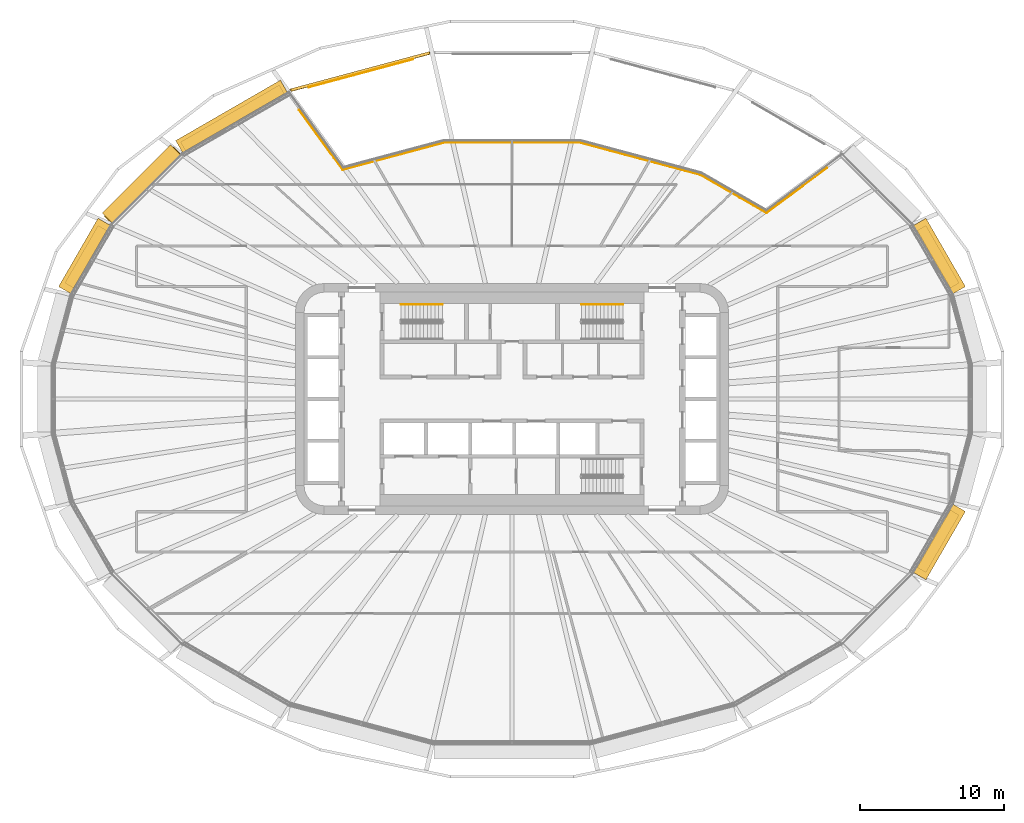
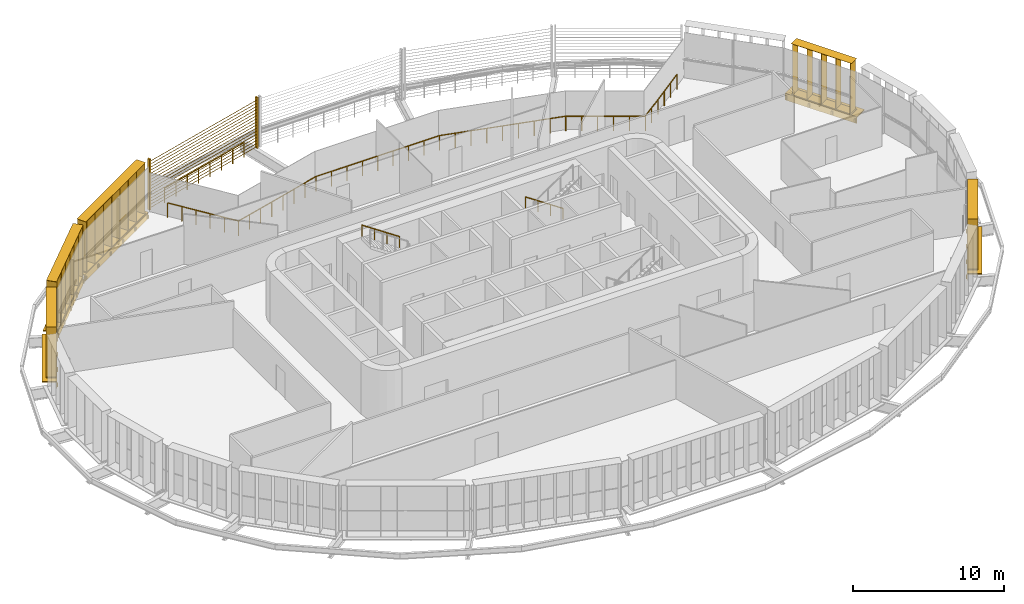
# One storey, part 23 of 24: 11 shading devices, 5 railings.
"""IFC4 building model written with IfcOpenShell, lengths in metres."""

import ifcopenshell
import ifcopenshell.guid

model = None  # the IFC model being written
_history = None  # IfcOwnerHistory: only IFC2X3 demands one
_inside = {}  # id of a spatial element -> (the spatial element, [elements in it])
_under = {}  # id of a project, library or spatial element -> (it, [spatial elements below it])
_declared = {}  # id of a project -> (the project, [libraries it declares])
_typed = {}  # id of a type object -> (the type object, [elements of that type])
_made_of = {}  # id of a material, layer set ... -> (it, [elements and type objects made of it])


def new_model(schema):
    """Start an empty IFC model of exactly this schema.

    Asked for "IFC4X3", IfcOpenShell would pick the latest addendum, in which some entities
    have other attributes; the version numbers below select the first issue.
    IFC2X3 requires an IfcOwnerHistory on every rooted entity: one is made here for all.
    """
    global model, _history
    if schema == "IFC4X3":
        model = ifcopenshell.file(schema_version=(4, 3, 0, 0))
    else:
        model = ifcopenshell.file(schema=schema)
    _inside.clear()
    _under.clear()
    _declared.clear()
    _typed.clear()
    _made_of.clear()
    _history = None
    if model.schema == "IFC2X3":
        org = make("IfcOrganization", Name="unknown")
        user = make(
            "IfcPersonAndOrganization",
            ThePerson=make("IfcPerson", FamilyName="unknown"),
            TheOrganization=org,
        )
        app = make(
            "IfcApplication",
            ApplicationDeveloper=org,
            Version="unknown",
            ApplicationFullName="unknown",
            ApplicationIdentifier="unknown",
        )
        _history = make(
            "IfcOwnerHistory",
            OwningUser=user,
            OwningApplication=app,
            ChangeAction="ADDED",
            CreationDate=0,
        )
    return model


def make(cls, **values):
    """One entity of the class cls with the attributes given. An attribute that is None is left unset."""
    return model.create_entity(
        cls, **{name: value for name, value in values.items() if value is not None}
    )


def rooted(cls, **values):
    """An entity with a GlobalId (a new one), such as an element, a storey or a relation."""
    return make(cls, GlobalId=ifcopenshell.guid.new(), OwnerHistory=_history, **values)


def si_unit(unit_type, name, prefix=None):
    """IfcSIUnit, for example si_unit("LENGTHUNIT", "METRE", prefix="MILLI")."""
    return make("IfcSIUnit", UnitType=unit_type, Prefix=prefix, Name=name)


def assignment(units):
    """IfcUnitAssignment: the units of a project."""
    return None if units is None else make("IfcUnitAssignment", Units=units)


def point(xyz):
    """IfcCartesianPoint."""
    return None if xyz is None else make("IfcCartesianPoint", Coordinates=xyz)


def direction(xyz):
    """IfcDirection."""
    return None if xyz is None else make("IfcDirection", DirectionRatios=xyz)


def frame(location, z_axis=None, x_axis=None):
    """IfcAxis2Placement3D, a coordinate frame: its origin and axes. An axis left out is left unset."""
    return make(
        "IfcAxis2Placement3D",
        Location=point(location),
        Axis=direction(z_axis),
        RefDirection=direction(x_axis),
    )


def frame_2d(location, x_axis=None):
    """IfcAxis2Placement2D, a coordinate frame in the plane: its origin and x axis."""
    return make(
        "IfcAxis2Placement2D", Location=point(location), RefDirection=direction(x_axis)
    )


def origin():
    """The frame at (0, 0, 0) with its axes left unset."""
    return frame((0.0, 0.0, 0.0))


def origin_2d():
    """The frame at (0, 0) in the plane with its x axis left unset."""
    return frame_2d((0.0, 0.0))


def place(relative_to, where):
    """IfcLocalPlacement: puts the frame where relative to a parent placement (None: the world)."""
    return make(
        "IfcLocalPlacement", PlacementRelTo=relative_to, RelativePlacement=where
    )


def context(
    kind, dimensions, precision=None, world=None, true_north=None, identifier=None
):
    """IfcGeometricRepresentationContext, for example the 3D "Model" context."""
    return make(
        "IfcGeometricRepresentationContext",
        ContextIdentifier=identifier,
        ContextType=kind,
        CoordinateSpaceDimension=dimensions,
        Precision=precision,
        WorldCoordinateSystem=world,
        TrueNorth=true_north,
    )


def subcontext(parent, identifier, kind, view, scale=None):
    """IfcGeometricRepresentationSubContext, for example "Body" below "Model"."""
    return make(
        "IfcGeometricRepresentationSubContext",
        ContextIdentifier=identifier,
        ContextType=kind,
        ParentContext=parent,
        TargetScale=scale,
        TargetView=view,
    )


def project(units=None, contexts=None):
    """IfcProject with its units and contexts."""
    return rooted(
        "IfcProject",
        Name="project",
        RepresentationContexts=contexts,
        UnitsInContext=assignment(units),
    )


def spatial(cls, under=None, at=None, **own):
    """A site, building, storey or space (cls), placed at a placement, below another one or the project."""
    s = rooted(cls, ObjectPlacement=at, **own)
    if under is not None:
        _under.setdefault(under.id(), (under, []))[1].append(s)
    return s


def profile(cls, at=None, kind="AREA", **sizes):
    """A parametric profile (cls). Its sizes go by their IFC names, for example OverallWidth=200.0."""
    return make(cls, ProfileType=kind, Position=at, **sizes)


def rectangle(**sizes):
    """IfcRectangleProfileDef."""
    return profile("IfcRectangleProfileDef", **sizes)


def circle(**sizes):
    """IfcCircleProfileDef."""
    return profile("IfcCircleProfileDef", **sizes)


def extrude(swept, where, along, depth):
    """IfcExtrudedAreaSolid: the profile swept, set in the frame where, extruded along a direction by depth."""
    return make(
        "IfcExtrudedAreaSolid",
        SweptArea=swept,
        Position=where,
        ExtrudedDirection=direction(along),
        Depth=depth,
    )


def shape(context_of_items, identifier, shape_type, items):
    """IfcShapeRepresentation: the items that make up one representation, for example the "Body"."""
    return make(
        "IfcShapeRepresentation",
        ContextOfItems=context_of_items,
        RepresentationIdentifier=identifier,
        RepresentationType=shape_type,
        Items=items,
    )


def material(Name=None, Category=None):
    """IfcMaterial."""
    return make("IfcMaterial", Name=Name, Category=Category)


def made_of(thing, what):
    """Note that an element or type object is made of a material, layer set ...; save() writes the relation."""
    if what is not None:
        _made_of.setdefault(what.id(), (what, []))[1].append(thing)
    return thing


def type_object(cls, material=None, **own):
    """A type object (cls), such as IfcWallType, which elements share."""
    return made_of(rooted(cls, **own), material)


def element(
    cls,
    number,
    at=None,
    inside=None,
    cuts=None,
    type_object=None,
    material=None,
    context=None,
    identifier="Body",
    shape_type=None,
    held_by="IfcProductDefinitionShape",
    body=None,
    shapes=None,
    **own,
):
    """One element of the class cls, such as IfcWall. Its Tag is "e" and its number.

    at: its placement. inside: the storey or other place that contains it. cuts: it is an
    opening in that element (IfcRelVoidsElement). A single representation is given by context,
    identifier, shape_type and body (its items); several are given by shapes. held_by: the class
    of the entity that holds the representations. save() writes the other relations.
    """
    e = rooted(cls, Tag="e%d" % number, ObjectPlacement=at, **own)
    if body is not None:
        shapes = [shape(context, identifier, shape_type, body)]
    if shapes is not None:
        e.Representation = make(held_by, Representations=shapes)
    if inside is not None:
        _inside.setdefault(inside.id(), (inside, []))[1].append(e)
    if cuts is not None:
        rooted(
            "IfcRelVoidsElement", RelatingBuildingElement=cuts, RelatedOpeningElement=e
        )
    if type_object is not None:
        _typed.setdefault(type_object.id(), (type_object, []))[1].append(e)
    return made_of(e, material)


def aggregate(whole, parts):
    """IfcRelAggregates: a whole, such as a stair, and the parts it consists of."""
    return rooted("IfcRelAggregates", RelatingObject=whole, RelatedObjects=parts)


def save(model, path):
    """Write the relations noted so far, then the file.

    IfcRelAggregates (storeys below a building ...), IfcRelContainedInSpatialStructure (elements
    in a storey), IfcRelDefinesByType, IfcRelAssociatesMaterial and IfcRelDeclares: one each for
    every whole, place, type object, material and project.
    """
    for whole, parts in _under.values():
        aggregate(whole, parts)
    for where, things in _inside.values():
        rooted(
            "IfcRelContainedInSpatialStructure",
            RelatedElements=things,
            RelatingStructure=where,
        )
    for kind, things in _typed.values():
        rooted("IfcRelDefinesByType", RelatedObjects=things, RelatingType=kind)
    for what, things in _made_of.values():
        rooted("IfcRelAssociatesMaterial", RelatedObjects=things, RelatingMaterial=what)
    for by, libraries in _declared.values():
        rooted("IfcRelDeclares", RelatingContext=by, RelatedDefinitions=libraries)
    model.write(path)


model = new_model("IFC4")

# Units and contexts
model_context = context("Model", 3, precision=1e-05, world=origin(), true_north=direction((0.0, 1.0)))
body_context = subcontext(model_context, "Body", "Model", "MODEL_VIEW")
ifc_project = project(units=[si_unit("LENGTHUNIT", "METRE"), si_unit("AREAUNIT", "SQUARE_METRE"), si_unit("VOLUMEUNIT", "CUBIC_METRE"), si_unit("PLANEANGLEUNIT", "RADIAN"), si_unit("MASSUNIT", "GRAM", prefix="KILO")], contexts=[model_context])

# Site, building, storey
site_placement = place(None, origin())
site = spatial("IfcSite", under=ifc_project, at=site_placement, CompositionType="ELEMENT")
building_placement = place(site_placement, origin())
building = spatial("IfcBuilding", under=site, at=building_placement, Name="Sahrelin Media Tower", CompositionType="ELEMENT")
storey_placement = place(building_placement, frame((0.0, 0.0, 123.0)))
storey = spatial("IfcBuildingStorey", under=building, at=storey_placement, Name="L24", CompositionType="ELEMENT", Elevation=123.0)

# Shading devices
ifc_material_1 = material(Name="Champagne anodised aluminium 6063-T6", Category="aluminium")
shading_device_type_1 = type_object("IfcShadingDeviceType", Name="Fin cassette", PredefinedType="USERDEFINED", material=ifc_material_1)
placement_1 = place(storey_placement, frame((29.138916015625, 9.63818359375, 0.0), z_axis=(0.0, 0.0, 1.0), x_axis=(0.500011000363, -0.866019052629, 0.0)))
element("IfcShadingDevice", 1, at=placement_1, inside=storey, type_object=shading_device_type_1, Name="L24:FIN:L24-02", ObjectType="FIN", PredefinedType="USERDEFINED", context=body_context, shape_type="SweptSolid", body=[
    extrude(rectangle(XDim=4.60009765625, YDim=0.699951171875, at=origin_2d()), frame((0.0, 0.419921875, 0.0)), (0.0, 0.0, 1.0), 0.02001953125),
    extrude(rectangle(XDim=4.60009765625, YDim=0.699951171875, at=origin_2d()), frame((0.0, 0.419921875, 4.10009765625)), (0.0, 0.0, 1.0), 0.02001953125),
    extrude(rectangle(XDim=0.02001953125, YDim=0.699951171875, at=origin_2d()), frame((-2.199951171875, 0.419921875, 0.010009765625), z_axis=(0.0, 0.0, 1.0), x_axis=(1.0, 0.0, 0.0)), (0.0, 0.0, 1.0), 4.10009765625),
    extrude(rectangle(XDim=0.02001953125, YDim=0.699951171875, at=origin_2d()), frame((-1.10009765625, 0.419921875, 0.010009765625), z_axis=(0.0, 0.0, 1.0), x_axis=(1.0, 0.0, 0.0)), (0.0, 0.0, 1.0), 4.10009765625),
    extrude(rectangle(XDim=0.02001953125, YDim=0.699951171875, at=origin_2d()), frame((0.0, 0.419921875, 0.010009765625), z_axis=(0.0, 0.0, 1.0), x_axis=(1.0, 0.0, 0.0)), (0.0, 0.0, 1.0), 4.10009765625),
    extrude(rectangle(XDim=0.02001953125, YDim=0.699951171875, at=origin_2d()), frame((1.10009765625, 0.419921875, 0.010009765625), z_axis=(0.0, 0.0, 1.0), x_axis=(1.0, 0.0, 0.0)), (0.0, 0.0, 1.0), 4.10009765625),
    extrude(rectangle(XDim=0.02001953125, YDim=0.699951171875, at=origin_2d()), frame((2.199951171875, 0.419921875, 0.010009765625), z_axis=(0.0, 0.0, 1.0), x_axis=(1.0, 0.0, 0.0)), (0.0, 0.0, 1.0), 4.10009765625),
])
placement_2 = place(storey_placement, frame((-19.147216796875, 19.09716796875, 0.0), z_axis=(0.0, 0.0, 1.0), x_axis=(0.866019052629, 0.500011000363, 0.0)))
element("IfcShadingDevice", 2, at=placement_2, inside=storey, type_object=shading_device_type_1, Name="L24:FIN:L24-08", ObjectType="FIN", PredefinedType="USERDEFINED", context=body_context, shape_type="SweptSolid", body=[
    extrude(rectangle(XDim=7.89990234375, YDim=0.699951171875, at=origin_2d()), frame((0.0, 0.419921875, 0.0)), (0.0, 0.0, 1.0), 0.02001953125),
    extrude(rectangle(XDim=7.89990234375, YDim=0.699951171875, at=origin_2d()), frame((0.0, 0.419921875, 4.10009765625)), (0.0, 0.0, 1.0), 0.02001953125),
    extrude(rectangle(XDim=0.02001953125, YDim=0.699951171875, at=origin_2d()), frame((-3.85009765625, 0.419921875, 0.010009765625), z_axis=(0.0, 0.0, 1.0), x_axis=(1.0, 0.0, 0.0)), (0.0, 0.0, 1.0), 4.10009765625),
    extrude(rectangle(XDim=0.02001953125, YDim=0.699951171875, at=origin_2d()), frame((-2.75, 0.419921875, 0.010009765625), z_axis=(0.0, 0.0, 1.0), x_axis=(1.0, 0.0, 0.0)), (0.0, 0.0, 1.0), 4.10009765625),
    extrude(rectangle(XDim=0.02001953125, YDim=0.699951171875, at=origin_2d()), frame((-1.64990234375, 0.419921875, 0.010009765625), z_axis=(0.0, 0.0, 1.0), x_axis=(1.0, 0.0, 0.0)), (0.0, 0.0, 1.0), 4.10009765625),
    extrude(rectangle(XDim=0.02001953125, YDim=0.699951171875, at=origin_2d()), frame((-0.550048828125, 0.419921875, 0.010009765625), z_axis=(0.0, 0.0, 1.0), x_axis=(1.0, 0.0, 0.0)), (0.0, 0.0, 1.0), 4.10009765625),
    extrude(rectangle(XDim=0.02001953125, YDim=0.699951171875, at=origin_2d()), frame((0.550048828125, 0.419921875, 0.010009765625), z_axis=(0.0, 0.0, 1.0), x_axis=(1.0, 0.0, 0.0)), (0.0, 0.0, 1.0), 4.10009765625),
    extrude(rectangle(XDim=0.02001953125, YDim=0.699951171875, at=origin_2d()), frame((1.64990234375, 0.419921875, 0.010009765625), z_axis=(0.0, 0.0, 1.0), x_axis=(1.0, 0.0, 0.0)), (0.0, 0.0, 1.0), 4.10009765625),
    extrude(rectangle(XDim=0.02001953125, YDim=0.699951171875, at=origin_2d()), frame((2.75, 0.419921875, 0.010009765625), z_axis=(0.0, 0.0, 1.0), x_axis=(1.0, 0.0, 0.0)), (0.0, 0.0, 1.0), 4.10009765625),
    extrude(rectangle(XDim=0.02001953125, YDim=0.699951171875, at=origin_2d()), frame((3.85009765625, 0.419921875, 0.010009765625), z_axis=(0.0, 0.0, 1.0), x_axis=(1.0, 0.0, 0.0)), (0.0, 0.0, 1.0), 4.10009765625),
])
placement_3 = place(storey_placement, frame((-25.291259765625, 14.52197265625, 0.0), z_axis=(0.0, 0.0, 1.0), x_axis=(0.707106781187, 0.707106781187, 0.0)))
element("IfcShadingDevice", 3, at=placement_3, inside=storey, type_object=shading_device_type_1, Name="L24:FIN:L24-09", ObjectType="FIN", PredefinedType="USERDEFINED", context=body_context, shape_type="SweptSolid", body=[
    extrude(rectangle(XDim=6.800048828125, YDim=0.699951171875, at=origin_2d()), frame((0.0, 0.419921875, 0.0)), (0.0, 0.0, 1.0), 0.02001953125),
    extrude(rectangle(XDim=6.800048828125, YDim=0.699951171875, at=origin_2d()), frame((0.0, 0.419921875, 4.10009765625)), (0.0, 0.0, 1.0), 0.02001953125),
    extrude(rectangle(XDim=0.02001953125, YDim=0.699951171875, at=origin_2d()), frame((-3.300048828125, 0.419921875, 0.010009765625), z_axis=(0.0, 0.0, 1.0), x_axis=(1.0, 0.0, 0.0)), (0.0, 0.0, 1.0), 4.10009765625),
    extrude(rectangle(XDim=0.02001953125, YDim=0.699951171875, at=origin_2d()), frame((-2.199951171875, 0.419921875, 0.010009765625), z_axis=(0.0, 0.0, 1.0), x_axis=(1.0, 0.0, 0.0)), (0.0, 0.0, 1.0), 4.10009765625),
    extrude(rectangle(XDim=0.02001953125, YDim=0.699951171875, at=origin_2d()), frame((-1.10009765625, 0.419921875, 0.010009765625), z_axis=(0.0, 0.0, 1.0), x_axis=(1.0, 0.0, 0.0)), (0.0, 0.0, 1.0), 4.10009765625),
    extrude(rectangle(XDim=0.02001953125, YDim=0.699951171875, at=origin_2d()), frame((0.0, 0.419921875, 0.010009765625), z_axis=(0.0, 0.0, 1.0), x_axis=(1.0, 0.0, 0.0)), (0.0, 0.0, 1.0), 4.10009765625),
    extrude(rectangle(XDim=0.02001953125, YDim=0.699951171875, at=origin_2d()), frame((1.10009765625, 0.419921875, 0.010009765625), z_axis=(0.0, 0.0, 1.0), x_axis=(1.0, 0.0, 0.0)), (0.0, 0.0, 1.0), 4.10009765625),
    extrude(rectangle(XDim=0.02001953125, YDim=0.699951171875, at=origin_2d()), frame((2.199951171875, 0.419921875, 0.010009765625), z_axis=(0.0, 0.0, 1.0), x_axis=(1.0, 0.0, 0.0)), (0.0, 0.0, 1.0), 4.10009765625),
    extrude(rectangle(XDim=0.02001953125, YDim=0.699951171875, at=origin_2d()), frame((3.300048828125, 0.419921875, 0.010009765625), z_axis=(0.0, 0.0, 1.0), x_axis=(1.0, 0.0, 0.0)), (0.0, 0.0, 1.0), 4.10009765625),
])
placement_4 = place(storey_placement, frame((-29.138916015625, 9.63818359375, 0.0), z_axis=(0.0, 0.0, 1.0), x_axis=(0.500011000363, 0.866019052629, 0.0)))
element("IfcShadingDevice", 4, at=placement_4, inside=storey, type_object=shading_device_type_1, Name="L24:FIN:L24-10", ObjectType="FIN", PredefinedType="USERDEFINED", context=body_context, shape_type="SweptSolid", body=[
    extrude(rectangle(XDim=4.60009765625, YDim=0.699951171875, at=origin_2d()), frame((0.0, 0.419921875, 0.0)), (0.0, 0.0, 1.0), 0.02001953125),
    extrude(rectangle(XDim=4.60009765625, YDim=0.699951171875, at=origin_2d()), frame((0.0, 0.419921875, 4.10009765625)), (0.0, 0.0, 1.0), 0.02001953125),
    extrude(rectangle(XDim=0.02001953125, YDim=0.699951171875, at=origin_2d()), frame((-2.199951171875, 0.419921875, 0.010009765625), z_axis=(0.0, 0.0, 1.0), x_axis=(1.0, 0.0, 0.0)), (0.0, 0.0, 1.0), 4.10009765625),
    extrude(rectangle(XDim=0.02001953125, YDim=0.699951171875, at=origin_2d()), frame((-1.10009765625, 0.419921875, 0.010009765625), z_axis=(0.0, 0.0, 1.0), x_axis=(1.0, 0.0, 0.0)), (0.0, 0.0, 1.0), 4.10009765625),
    extrude(rectangle(XDim=0.02001953125, YDim=0.699951171875, at=origin_2d()), frame((0.0, 0.419921875, 0.010009765625), z_axis=(0.0, 0.0, 1.0), x_axis=(1.0, 0.0, 0.0)), (0.0, 0.0, 1.0), 4.10009765625),
    extrude(rectangle(XDim=0.02001953125, YDim=0.699951171875, at=origin_2d()), frame((1.10009765625, 0.419921875, 0.010009765625), z_axis=(0.0, 0.0, 1.0), x_axis=(1.0, 0.0, 0.0)), (0.0, 0.0, 1.0), 4.10009765625),
    extrude(rectangle(XDim=0.02001953125, YDim=0.699951171875, at=origin_2d()), frame((2.199951171875, 0.419921875, 0.010009765625), z_axis=(0.0, 0.0, 1.0), x_axis=(1.0, 0.0, 0.0)), (0.0, 0.0, 1.0), 4.10009765625),
])
placement_5 = place(storey_placement, frame((29.138916015625, -9.63818359375, 0.0), z_axis=(0.0, 0.0, 1.0), x_axis=(-0.500011000363, -0.866019052629, 0.0)))
element("IfcShadingDevice", 5, at=placement_5, inside=storey, type_object=shading_device_type_1, Name="L24:FIN:L24-22", ObjectType="FIN", PredefinedType="USERDEFINED", context=body_context, shape_type="SweptSolid", body=[
    extrude(rectangle(XDim=4.60009765625, YDim=0.699951171875, at=origin_2d()), frame((0.0, 0.419921875, 0.0)), (0.0, 0.0, 1.0), 0.02001953125),
    extrude(rectangle(XDim=4.60009765625, YDim=0.699951171875, at=origin_2d()), frame((0.0, 0.419921875, 4.10009765625)), (0.0, 0.0, 1.0), 0.02001953125),
    extrude(rectangle(XDim=0.02001953125, YDim=0.699951171875, at=origin_2d()), frame((-2.199951171875, 0.419921875, 0.010009765625), z_axis=(0.0, 0.0, 1.0), x_axis=(1.0, 0.0, 0.0)), (0.0, 0.0, 1.0), 4.10009765625),
    extrude(rectangle(XDim=0.02001953125, YDim=0.699951171875, at=origin_2d()), frame((-1.10009765625, 0.419921875, 0.010009765625), z_axis=(0.0, 0.0, 1.0), x_axis=(1.0, 0.0, 0.0)), (0.0, 0.0, 1.0), 4.10009765625),
    extrude(rectangle(XDim=0.02001953125, YDim=0.699951171875, at=origin_2d()), frame((0.0, 0.419921875, 0.010009765625), z_axis=(0.0, 0.0, 1.0), x_axis=(1.0, 0.0, 0.0)), (0.0, 0.0, 1.0), 4.10009765625),
    extrude(rectangle(XDim=0.02001953125, YDim=0.699951171875, at=origin_2d()), frame((1.10009765625, 0.419921875, 0.010009765625), z_axis=(0.0, 0.0, 1.0), x_axis=(1.0, 0.0, 0.0)), (0.0, 0.0, 1.0), 4.10009765625),
    extrude(rectangle(XDim=0.02001953125, YDim=0.699951171875, at=origin_2d()), frame((2.199951171875, 0.419921875, 0.010009765625), z_axis=(0.0, 0.0, 1.0), x_axis=(1.0, 0.0, 0.0)), (0.0, 0.0, 1.0), 4.10009765625),
])
shading_device_type_2 = type_object("IfcShadingDeviceType", Name="Garden screen", PredefinedType="USERDEFINED", material=ifc_material_1)
shading_device_6_placement = place(storey_placement, frame((-10.474365234375, 22.569580078125, 0.0), z_axis=(0.0, 0.0, 1.0), x_axis=(0.965928857556, 0.258807731996, 0.0)))
element("IfcShadingDevice", 6, at=shading_device_6_placement, inside=storey, type_object=shading_device_type_2, Name="L24:SCREEN:L24-07", ObjectType="SCREEN", PredefinedType="USERDEFINED", context=body_context, shape_type="SweptSolid", body=[
    extrude(rectangle(XDim=0.1201171875, YDim=0.199951171875, at=origin_2d()), frame((5.025634765625, 0.10009765625, 0.050048828125), z_axis=(0.0, 0.0, 1.0), x_axis=(1.0, 0.0, 0.0)), (0.0, 0.0, 1.0), 4.099853515625),
    extrude(rectangle(XDim=0.1201171875, YDim=0.199951171875, at=origin_2d()), frame((-5.025634765625, 0.10009765625, 0.050048828125), z_axis=(0.0, 0.0, 1.0), x_axis=(1.0, 0.0, 0.0)), (0.0, 0.0, 1.0), 4.099853515625),
    extrude(rectangle(XDim=0.25, YDim=0.02001953125, at=origin_2d()), frame((4.9658203125, 0.10009765625, 0.14990234375), z_axis=(-1.0, 0.0, 0.0), x_axis=(0.0, -0.766044443119, 0.642787609687)), (0.0, 0.0, 1.0), 9.931640625),
    extrude(rectangle(XDim=0.25, YDim=0.02001953125, at=origin_2d()), frame((4.9658203125, 0.10009765625, 0.39990234375), z_axis=(-1.0, 0.0, 0.0), x_axis=(0.0, -0.766044443119, 0.642787609687)), (0.0, 0.0, 1.0), 9.931640625),
    extrude(rectangle(XDim=0.25, YDim=0.02001953125, at=origin_2d()), frame((4.9658203125, 0.10009765625, 0.64990234375), z_axis=(-1.0, 0.0, 0.0), x_axis=(0.0, -0.766044443119, 0.642787609687)), (0.0, 0.0, 1.0), 9.931640625),
    extrude(rectangle(XDim=0.25, YDim=0.02001953125, at=origin_2d()), frame((4.9658203125, 0.10009765625, 0.89990234375), z_axis=(-1.0, 0.0, 0.0), x_axis=(0.0, -0.766044443119, 0.642787609687)), (0.0, 0.0, 1.0), 9.931640625),
    extrude(rectangle(XDim=0.25, YDim=0.02001953125, at=origin_2d()), frame((4.9658203125, 0.10009765625, 1.14990234375), z_axis=(-1.0, 0.0, 0.0), x_axis=(0.0, -0.766044443119, 0.642787609687)), (0.0, 0.0, 1.0), 9.931640625),
    extrude(rectangle(XDim=0.25, YDim=0.02001953125, at=origin_2d()), frame((4.9658203125, 0.10009765625, 1.39990234375), z_axis=(-1.0, 0.0, 0.0), x_axis=(0.0, -0.766044443119, 0.642787609687)), (0.0, 0.0, 1.0), 9.931640625),
    extrude(rectangle(XDim=0.25, YDim=0.02001953125, at=origin_2d()), frame((4.9658203125, 0.10009765625, 1.64990234375), z_axis=(-1.0, 0.0, 0.0), x_axis=(0.0, -0.766044443119, 0.642787609687)), (0.0, 0.0, 1.0), 9.931640625),
    extrude(rectangle(XDim=0.25, YDim=0.02001953125, at=origin_2d()), frame((4.9658203125, 0.10009765625, 1.89990234375), z_axis=(-1.0, 0.0, 0.0), x_axis=(0.0, -0.766044443119, 0.642787609687)), (0.0, 0.0, 1.0), 9.931640625),
    extrude(rectangle(XDim=0.25, YDim=0.02001953125, at=origin_2d()), frame((4.9658203125, 0.10009765625, 2.14990234375), z_axis=(-1.0, 0.0, 0.0), x_axis=(0.0, -0.766044443119, 0.642787609687)), (0.0, 0.0, 1.0), 9.931640625),
    extrude(rectangle(XDim=0.25, YDim=0.02001953125, at=origin_2d()), frame((4.9658203125, 0.10009765625, 2.39990234375), z_axis=(-1.0, 0.0, 0.0), x_axis=(0.0, -0.766044443119, 0.642787609687)), (0.0, 0.0, 1.0), 9.931640625),
    extrude(rectangle(XDim=0.25, YDim=0.02001953125, at=origin_2d()), frame((4.9658203125, 0.10009765625, 2.64990234375), z_axis=(-1.0, 0.0, 0.0), x_axis=(0.0, -0.766044443119, 0.642787609687)), (0.0, 0.0, 1.0), 9.931640625),
    extrude(rectangle(XDim=0.25, YDim=0.02001953125, at=origin_2d()), frame((4.9658203125, 0.10009765625, 2.89990234375), z_axis=(-1.0, 0.0, 0.0), x_axis=(0.0, -0.766044443119, 0.642787609687)), (0.0, 0.0, 1.0), 9.931640625),
    extrude(rectangle(XDim=0.25, YDim=0.02001953125, at=origin_2d()), frame((4.9658203125, 0.10009765625, 3.14990234375), z_axis=(-1.0, 0.0, 0.0), x_axis=(0.0, -0.766044443119, 0.642787609687)), (0.0, 0.0, 1.0), 9.931640625),
    extrude(rectangle(XDim=0.25, YDim=0.02001953125, at=origin_2d()), frame((4.9658203125, 0.10009765625, 3.39990234375), z_axis=(-1.0, 0.0, 0.0), x_axis=(0.0, -0.766044443119, 0.642787609687)), (0.0, 0.0, 1.0), 9.931640625),
    extrude(rectangle(XDim=0.25, YDim=0.02001953125, at=origin_2d()), frame((4.9658203125, 0.10009765625, 3.64990234375), z_axis=(-1.0, 0.0, 0.0), x_axis=(0.0, -0.766044443119, 0.642787609687)), (0.0, 0.0, 1.0), 9.931640625),
    extrude(rectangle(XDim=0.25, YDim=0.02001953125, at=origin_2d()), frame((4.9658203125, 0.10009765625, 3.89990234375), z_axis=(-1.0, 0.0, 0.0), x_axis=(0.0, -0.766044443119, 0.642787609687)), (0.0, 0.0, 1.0), 9.931640625),
])

# Railings
ifc_material_2 = material(Name="Stainless steel 316", Category="steel")
railing_type_1 = type_object("IfcRailingType", Name="Sky garden guard", PredefinedType="GUARDRAIL", material=ifc_material_2)
railing_1_placement = place(storey_placement, frame((17.616943359375, 12.87939453125, 0.0)))
element("IfcRailing", 7, at=railing_1_placement, inside=storey, type_object=railing_type_1, Name="Sky garden void guard G2-1", PredefinedType="GUARDRAIL", context=body_context, shape_type="SweptSolid", body=[
    extrude(circle(Radius=0.02392578125, at=origin_2d()), frame((0.0, 0.0, 1.17578125), z_axis=(-0.86603255856, 0.499987607361, 0.0), x_axis=(-0.499987607361, -0.86603255856, 0.0)), (0.0, 0.0, 1.0), 5.260498046875),
    extrude(circle(Radius=0.02392578125, at=origin_2d()), frame((-4.5556640625, 2.630126953125, 1.17578125), z_axis=(-0.965927017117, 0.25881460083, 0.0), x_axis=(-0.25881460083, -0.965927017117, 0.0)), (0.0, 0.0, 1.0), 8.65185546875),
    extrude(circle(Radius=0.02392578125, at=origin_2d()), frame((-12.912841796875, 4.869384765625, 1.17578125), z_axis=(-1.0, 0.0, 0.0), x_axis=(0.0, -1.0, 0.0)), (0.0, 0.0, 1.0), 9.408203125),
    extrude(circle(Radius=0.02392578125, at=origin_2d()), frame((-22.321044921875, 4.869384765625, 1.17578125), z_axis=(-0.965920584516, -0.258838606872, 0.0), x_axis=(0.258838606872, -0.965920584516, 0.0)), (0.0, 0.0, 1.0), 7.260986328125),
    extrude(circle(Radius=0.02392578125, at=origin_2d()), frame((-29.33447265625, 2.989990234375, 1.17578125), z_axis=(-0.587857214641, 0.808964705778, 0.0), x_axis=(-0.808964705778, -0.587857214641, 0.0)), (0.0, 0.0, 1.0), 5.12451171875),
    extrude(circle(Radius=0.02099609375, at=origin_2d()), origin(), (0.0, 0.0, 1.0), 1.15185546875),
    extrude(circle(Radius=0.02099609375, at=origin_2d()), frame((-0.9111328125, 0.526123046875, 0.0)), (0.0, 0.0, 1.0), 1.15185546875),
    extrude(circle(Radius=0.02099609375, at=origin_2d()), frame((-1.822265625, 1.052001953125, 0.0)), (0.0, 0.0, 1.0), 1.15185546875),
    extrude(circle(Radius=0.02099609375, at=origin_2d()), frame((-2.7333984375, 1.578125, 0.0)), (0.0, 0.0, 1.0), 1.15185546875),
    extrude(circle(Radius=0.02099609375, at=origin_2d()), frame((-3.64453125, 2.10400390625, 0.0)), (0.0, 0.0, 1.0), 1.15185546875),
    extrude(circle(Radius=0.02099609375, at=origin_2d()), frame((-4.5556640625, 2.630126953125, 0.0)), (0.0, 0.0, 1.0), 1.15185546875),
    extrude(circle(Radius=0.02099609375, at=origin_2d()), frame((-5.600341796875, 2.91015625, 0.0)), (0.0, 0.0, 1.0), 1.15185546875),
    extrude(circle(Radius=0.02099609375, at=origin_2d()), frame((-6.64501953125, 3.18994140625, 0.0)), (0.0, 0.0, 1.0), 1.15185546875),
    extrude(circle(Radius=0.02099609375, at=origin_2d()), frame((-7.689697265625, 3.4697265625, 0.0)), (0.0, 0.0, 1.0), 1.15185546875),
    extrude(circle(Radius=0.02099609375, at=origin_2d()), frame((-8.734375, 3.749755859375, 0.0)), (0.0, 0.0, 1.0), 1.15185546875),
    extrude(circle(Radius=0.02099609375, at=origin_2d()), frame((-9.77880859375, 4.02978515625, 0.0)), (0.0, 0.0, 1.0), 1.15185546875),
    extrude(circle(Radius=0.02099609375, at=origin_2d()), frame((-10.823486328125, 4.3095703125, 0.0)), (0.0, 0.0, 1.0), 1.15185546875),
    extrude(circle(Radius=0.02099609375, at=origin_2d()), frame((-11.8681640625, 4.58935546875, 0.0)), (0.0, 0.0, 1.0), 1.15185546875),
    extrude(circle(Radius=0.02099609375, at=origin_2d()), frame((-12.912841796875, 4.869384765625, 0.0)), (0.0, 0.0, 1.0), 1.15185546875),
    extrude(circle(Radius=0.02099609375, at=origin_2d()), frame((-14.0888671875, 4.869384765625, 0.0)), (0.0, 0.0, 1.0), 1.15185546875),
    extrude(circle(Radius=0.02099609375, at=origin_2d()), frame((-15.264892578125, 4.869384765625, 0.0)), (0.0, 0.0, 1.0), 1.15185546875),
    extrude(circle(Radius=0.02099609375, at=origin_2d()), frame((-16.44091796875, 4.869384765625, 0.0)), (0.0, 0.0, 1.0), 1.15185546875),
    extrude(circle(Radius=0.02099609375, at=origin_2d()), frame((-17.616943359375, 4.869384765625, 0.0)), (0.0, 0.0, 1.0), 1.15185546875),
    extrude(circle(Radius=0.02099609375, at=origin_2d()), frame((-18.79296875, 4.869384765625, 0.0)), (0.0, 0.0, 1.0), 1.15185546875),
    extrude(circle(Radius=0.02099609375, at=origin_2d()), frame((-19.968994140625, 4.869384765625, 0.0)), (0.0, 0.0, 1.0), 1.15185546875),
    extrude(circle(Radius=0.02099609375, at=origin_2d()), frame((-21.14501953125, 4.869384765625, 0.0)), (0.0, 0.0, 1.0), 1.15185546875),
    extrude(circle(Radius=0.02099609375, at=origin_2d()), frame((-22.321044921875, 4.869384765625, 0.0)), (0.0, 0.0, 1.0), 1.15185546875),
    extrude(circle(Radius=0.02099609375, at=origin_2d()), frame((-23.322998046875, 4.600830078125, 0.0)), (0.0, 0.0, 1.0), 1.15185546875),
    extrude(circle(Radius=0.02099609375, at=origin_2d()), frame((-24.324951171875, 4.33251953125, 0.0)), (0.0, 0.0, 1.0), 1.15185546875),
    extrude(circle(Radius=0.02099609375, at=origin_2d()), frame((-25.326904296875, 4.06396484375, 0.0)), (0.0, 0.0, 1.0), 1.15185546875),
    extrude(circle(Radius=0.02099609375, at=origin_2d()), frame((-26.32861328125, 3.79541015625, 0.0)), (0.0, 0.0, 1.0), 1.15185546875),
    extrude(circle(Radius=0.02099609375, at=origin_2d()), frame((-27.33056640625, 3.52685546875, 0.0)), (0.0, 0.0, 1.0), 1.15185546875),
    extrude(circle(Radius=0.02099609375, at=origin_2d()), frame((-28.33251953125, 3.258544921875, 0.0)), (0.0, 0.0, 1.0), 1.15185546875),
    extrude(circle(Radius=0.02099609375, at=origin_2d()), frame((-29.33447265625, 2.989990234375, 0.0)), (0.0, 0.0, 1.0), 1.15185546875),
    extrude(circle(Radius=0.02099609375, at=origin_2d()), frame((-29.93701171875, 3.819091796875, 0.0)), (0.0, 0.0, 1.0), 1.15185546875),
    extrude(circle(Radius=0.02099609375, at=origin_2d()), frame((-30.53955078125, 4.648193359375, 0.0)), (0.0, 0.0, 1.0), 1.15185546875),
    extrude(circle(Radius=0.02099609375, at=origin_2d()), frame((-31.141845703125, 5.477294921875, 0.0)), (0.0, 0.0, 1.0), 1.15185546875),
    extrude(circle(Radius=0.02099609375, at=origin_2d()), frame((-31.744384765625, 6.306396484375, 0.0)), (0.0, 0.0, 1.0), 1.15185546875),
    extrude(circle(Radius=0.02099609375, at=origin_2d()), frame((-32.346923828125, 7.135498046875, 0.0)), (0.0, 0.0, 1.0), 1.15185546875),
])
railing_2_placement = place(storey_placement, frame((-14.06298828125, 21.584716796875, 0.0)))
element("IfcRailing", 8, at=railing_2_placement, inside=storey, type_object=railing_type_1, Name="Sky garden void guard G2-2", PredefinedType="GUARDRAIL", context=body_context, shape_type="SweptSolid", body=[
    extrude(circle(Radius=0.02392578125, at=origin_2d()), frame((0.0, 0.0, 1.17578125), z_axis=(0.965928873684, 0.258807671802, 0.0), x_axis=(-0.258807671802, 0.965928873684, 0.0)), (0.0, 0.0, 1.0), 7.44384765625),
    extrude(circle(Radius=0.02099609375, at=origin_2d()), origin(), (0.0, 0.0, 1.0), 1.15185546875),
    extrude(circle(Radius=0.02099609375, at=origin_2d()), frame((1.027099609375, 0.275146484375, 0.0)), (0.0, 0.0, 1.0), 1.15185546875),
    extrude(circle(Radius=0.02099609375, at=origin_2d()), frame((2.054443359375, 0.550537109375, 0.0)), (0.0, 0.0, 1.0), 1.15185546875),
    extrude(circle(Radius=0.02099609375, at=origin_2d()), frame((3.08154296875, 0.82568359375, 0.0)), (0.0, 0.0, 1.0), 1.15185546875),
    extrude(circle(Radius=0.02099609375, at=origin_2d()), frame((4.108642578125, 1.100830078125, 0.0)), (0.0, 0.0, 1.0), 1.15185546875),
    extrude(circle(Radius=0.02099609375, at=origin_2d()), frame((5.1357421875, 1.3759765625, 0.0)), (0.0, 0.0, 1.0), 1.15185546875),
    extrude(circle(Radius=0.02099609375, at=origin_2d()), frame((6.1630859375, 1.6513671875, 0.0)), (0.0, 0.0, 1.0), 1.15185546875),
    extrude(circle(Radius=0.02099609375, at=origin_2d()), frame((7.190185546875, 1.926513671875, 0.0)), (0.0, 0.0, 1.0), 1.15185546875),
])
railing_3_placement = place(storey_placement, frame((21.818115234375, 15.9951171875, 0.0)))
element("IfcRailing", 9, at=railing_3_placement, inside=storey, type_object=railing_type_1, Name="Sky garden void guard G2-6", PredefinedType="GUARDRAIL", context=body_context, shape_type="SweptSolid", body=[
    extrude(circle(Radius=0.02392578125, at=origin_2d()), frame((0.0, 0.0, 1.17578125), z_axis=(-0.803214736204, -0.595689589925, 0.0), x_axis=(0.595689589925, -0.803214736204, 0.0)), (0.0, 0.0, 1.0), 5.23046875),
    extrude(circle(Radius=0.02099609375, at=origin_2d()), origin(), (0.0, 0.0, 1.0), 1.15185546875),
    extrude(circle(Radius=0.02099609375, at=origin_2d()), frame((-0.84033203125, -0.623046875, 0.0)), (0.0, 0.0, 1.0), 1.15185546875),
    extrude(circle(Radius=0.02099609375, at=origin_2d()), frame((-1.680419921875, -1.246337890625, 0.0)), (0.0, 0.0, 1.0), 1.15185546875),
    extrude(circle(Radius=0.02099609375, at=origin_2d()), frame((-2.520751953125, -1.869384765625, 0.0)), (0.0, 0.0, 1.0), 1.15185546875),
    extrude(circle(Radius=0.02099609375, at=origin_2d()), frame((-3.36083984375, -2.49267578125, 0.0)), (0.0, 0.0, 1.0), 1.15185546875),
    extrude(circle(Radius=0.02099609375, at=origin_2d()), frame((-4.201171875, -3.11572265625, 0.0)), (0.0, 0.0, 1.0), 1.15185546875),
])
ifc_material_3 = material(Name="Steel S355", Category="steel")
railing_type_2 = type_object("IfcRailingType", Name="Stair handrail 900", PredefinedType="HANDRAIL", material=ifc_material_3)
for number, where, name in (
    (10, (-4.81494140625, 6.550048828125, 2.27490234375), "L24 ST1 stair handrail 2"),
    (11, (7.675048828125, 6.550048828125, 0.175048828125), "L24 ST3 stair handrail 1"),
):
    element("IfcRailing", number, at=place(storey_placement, frame(where)), inside=storey, type_object=railing_type_2, Name=name, PredefinedType="HANDRAIL", context=body_context, shape_type="SweptSolid", body=[
        extrude(circle(Radius=0.02392578125, at=origin_2d()), frame((0.0, 0.0, 0.8759765625), z_axis=(-0.829590901723, 0.0, 0.558371682465), x_axis=(0.0, -1.0, 0.0)), (0.0, 0.0, 1.0), 3.447509765625),
        extrude(circle(Radius=0.02099609375, at=origin_2d()), origin(), (0.0, 0.0, 1.0), 0.851806640625),
        extrude(circle(Radius=0.02099609375, at=origin_2d()), frame((-0.953369140625, 0.0, 0.6416015625)), (0.0, 0.0, 1.0), 0.851806640625),
        extrude(circle(Radius=0.02099609375, at=origin_2d()), frame((-1.90673828125, 0.0, 1.283447265625)), (0.0, 0.0, 1.0), 0.851806640625),
        extrude(circle(Radius=0.02099609375, at=origin_2d()), frame((-2.860107421875, 0.0, 1.925048828125)), (0.0, 0.0, 1.0), 0.851806640625),
    ])

# Shading devices
shading_device_type_3 = type_object("IfcShadingDeviceType", Name="Sunshade band", PredefinedType="USERDEFINED", material=ifc_material_1)
element("IfcShadingDevice", 12, at=placement_1, inside=storey, type_object=shading_device_type_3, Name="L24:SUN:L24-02", ObjectType="SUNSHADE", PredefinedType="USERDEFINED", context=body_context, shape_type="SweptSolid", body=[
    extrude(rectangle(XDim=5.46240234375, YDim=0.050048828125, at=origin_2d()), frame((0.0, 0.044921875, -0.55126953125)), (0.0, 0.0, 1.0), 0.471435546875),
    extrude(rectangle(XDim=5.46240234375, YDim=1.0, at=origin_2d()), frame((0.0, 0.52001953125, -0.080078125)), (0.0, 0.0, 1.0), 0.080078125),
    extrude(rectangle(XDim=0.10009765625, YDim=0.074951171875, at=origin_2d()), frame((-2.631103515625, -0.017578125, -0.47021484375)), (0.0, 0.0, 1.0), 0.300048828125),
    extrude(rectangle(XDim=0.10009765625, YDim=0.074951171875, at=origin_2d()), frame((-0.877197265625, -0.017578125, -0.47021484375)), (0.0, 0.0, 1.0), 0.300048828125),
    extrude(rectangle(XDim=0.10009765625, YDim=0.074951171875, at=origin_2d()), frame((0.877197265625, -0.017578125, -0.47021484375)), (0.0, 0.0, 1.0), 0.300048828125),
    extrude(rectangle(XDim=0.10009765625, YDim=0.074951171875, at=origin_2d()), frame((2.631103515625, -0.017578125, -0.47021484375)), (0.0, 0.0, 1.0), 0.300048828125),
])
element("IfcShadingDevice", 13, at=placement_2, inside=storey, type_object=shading_device_type_3, Name="L24:SUN:L24-08", ObjectType="SUNSHADE", PredefinedType="USERDEFINED", context=body_context, shape_type="SweptSolid", body=[
    extrude(rectangle(XDim=8.37255859375, YDim=0.050048828125, at=origin_2d()), frame((0.0, 0.044921875, -0.55126953125)), (0.0, 0.0, 1.0), 0.471435546875),
    extrude(rectangle(XDim=8.37255859375, YDim=1.0, at=origin_2d()), frame((0.0, 0.52001953125, -0.080078125)), (0.0, 0.0, 1.0), 0.080078125),
    extrude(rectangle(XDim=0.10009765625, YDim=0.074951171875, at=origin_2d()), frame((-4.086181640625, -0.017578125, -0.47021484375)), (0.0, 0.0, 1.0), 0.300048828125),
    extrude(rectangle(XDim=0.10009765625, YDim=0.074951171875, at=origin_2d()), frame((-2.451904296875, -0.017578125, -0.47021484375)), (0.0, 0.0, 1.0), 0.300048828125),
    extrude(rectangle(XDim=0.10009765625, YDim=0.074951171875, at=origin_2d()), frame((-0.8173828125, -0.017578125, -0.47021484375)), (0.0, 0.0, 1.0), 0.300048828125),
    extrude(rectangle(XDim=0.10009765625, YDim=0.074951171875, at=origin_2d()), frame((0.8173828125, -0.017578125, -0.47021484375)), (0.0, 0.0, 1.0), 0.300048828125),
    extrude(rectangle(XDim=0.10009765625, YDim=0.074951171875, at=origin_2d()), frame((2.451904296875, -0.017578125, -0.47021484375)), (0.0, 0.0, 1.0), 0.300048828125),
    extrude(rectangle(XDim=0.10009765625, YDim=0.074951171875, at=origin_2d()), frame((4.086181640625, -0.017578125, -0.47021484375)), (0.0, 0.0, 1.0), 0.300048828125),
])
element("IfcShadingDevice", 14, at=placement_3, inside=storey, type_object=shading_device_type_3, Name="L24:SUN:L24-09", ObjectType="SUNSHADE", PredefinedType="USERDEFINED", context=body_context, shape_type="SweptSolid", body=[
    extrude(rectangle(XDim=6.6787109375, YDim=0.050048828125, at=origin_2d()), frame((0.0, 0.044921875, -0.55126953125)), (0.0, 0.0, 1.0), 0.471435546875),
    extrude(rectangle(XDim=6.6787109375, YDim=1.0, at=origin_2d()), frame((0.0, 0.52001953125, -0.080078125)), (0.0, 0.0, 1.0), 0.080078125),
    extrude(rectangle(XDim=0.10009765625, YDim=0.074951171875, at=origin_2d()), frame((-3.239501953125, -0.017578125, -0.47021484375)), (0.0, 0.0, 1.0), 0.300048828125),
    extrude(rectangle(XDim=0.10009765625, YDim=0.074951171875, at=origin_2d()), frame((-1.61962890625, -0.017578125, -0.47021484375)), (0.0, 0.0, 1.0), 0.300048828125),
    extrude(rectangle(XDim=0.10009765625, YDim=0.074951171875, at=origin_2d()), frame((0.0, -0.017578125, -0.47021484375)), (0.0, 0.0, 1.0), 0.300048828125),
    extrude(rectangle(XDim=0.10009765625, YDim=0.074951171875, at=origin_2d()), frame((1.61962890625, -0.017578125, -0.47021484375)), (0.0, 0.0, 1.0), 0.300048828125),
    extrude(rectangle(XDim=0.10009765625, YDim=0.074951171875, at=origin_2d()), frame((3.239501953125, -0.017578125, -0.47021484375)), (0.0, 0.0, 1.0), 0.300048828125),
])
element("IfcShadingDevice", 15, at=placement_4, inside=storey, type_object=shading_device_type_3, Name="L24:SUN:L24-10", ObjectType="SUNSHADE", PredefinedType="USERDEFINED", context=body_context, shape_type="SweptSolid", body=[
    extrude(rectangle(XDim=5.46240234375, YDim=0.050048828125, at=origin_2d()), frame((0.0, 0.044921875, -0.55126953125)), (0.0, 0.0, 1.0), 0.471435546875),
    extrude(rectangle(XDim=5.46240234375, YDim=1.0, at=origin_2d()), frame((0.0, 0.52001953125, -0.080078125)), (0.0, 0.0, 1.0), 0.080078125),
    extrude(rectangle(XDim=0.10009765625, YDim=0.074951171875, at=origin_2d()), frame((-2.631103515625, -0.017578125, -0.47021484375)), (0.0, 0.0, 1.0), 0.300048828125),
    extrude(rectangle(XDim=0.10009765625, YDim=0.074951171875, at=origin_2d()), frame((-0.877197265625, -0.017578125, -0.47021484375)), (0.0, 0.0, 1.0), 0.300048828125),
    extrude(rectangle(XDim=0.10009765625, YDim=0.074951171875, at=origin_2d()), frame((0.877197265625, -0.017578125, -0.47021484375)), (0.0, 0.0, 1.0), 0.300048828125),
    extrude(rectangle(XDim=0.10009765625, YDim=0.074951171875, at=origin_2d()), frame((2.631103515625, -0.017578125, -0.47021484375)), (0.0, 0.0, 1.0), 0.300048828125),
])
element("IfcShadingDevice", 16, at=placement_5, inside=storey, type_object=shading_device_type_3, Name="L24:SUN:L24-22", ObjectType="SUNSHADE", PredefinedType="USERDEFINED", context=body_context, shape_type="SweptSolid", body=[
    extrude(rectangle(XDim=5.46240234375, YDim=0.050048828125, at=origin_2d()), frame((0.0, 0.044921875, -0.55126953125)), (0.0, 0.0, 1.0), 0.471435546875),
    extrude(rectangle(XDim=5.46240234375, YDim=1.0, at=origin_2d()), frame((0.0, 0.52001953125, -0.080078125)), (0.0, 0.0, 1.0), 0.080078125),
    extrude(rectangle(XDim=0.10009765625, YDim=0.074951171875, at=origin_2d()), frame((-2.631103515625, -0.017578125, -0.47021484375)), (0.0, 0.0, 1.0), 0.300048828125),
    extrude(rectangle(XDim=0.10009765625, YDim=0.074951171875, at=origin_2d()), frame((-0.877197265625, -0.017578125, -0.47021484375)), (0.0, 0.0, 1.0), 0.300048828125),
    extrude(rectangle(XDim=0.10009765625, YDim=0.074951171875, at=origin_2d()), frame((0.877197265625, -0.017578125, -0.47021484375)), (0.0, 0.0, 1.0), 0.300048828125),
    extrude(rectangle(XDim=0.10009765625, YDim=0.074951171875, at=origin_2d()), frame((2.631103515625, -0.017578125, -0.47021484375)), (0.0, 0.0, 1.0), 0.300048828125),
])

save(model, "model.ifc")
